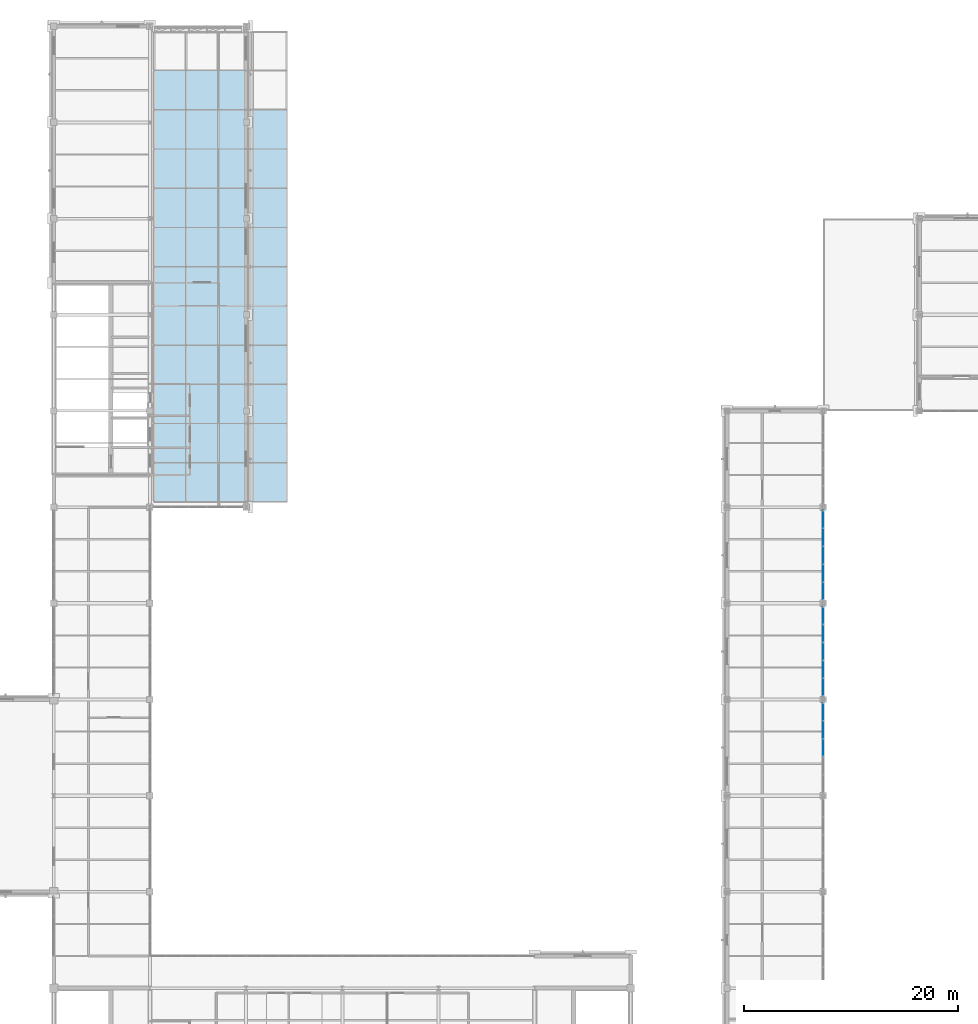
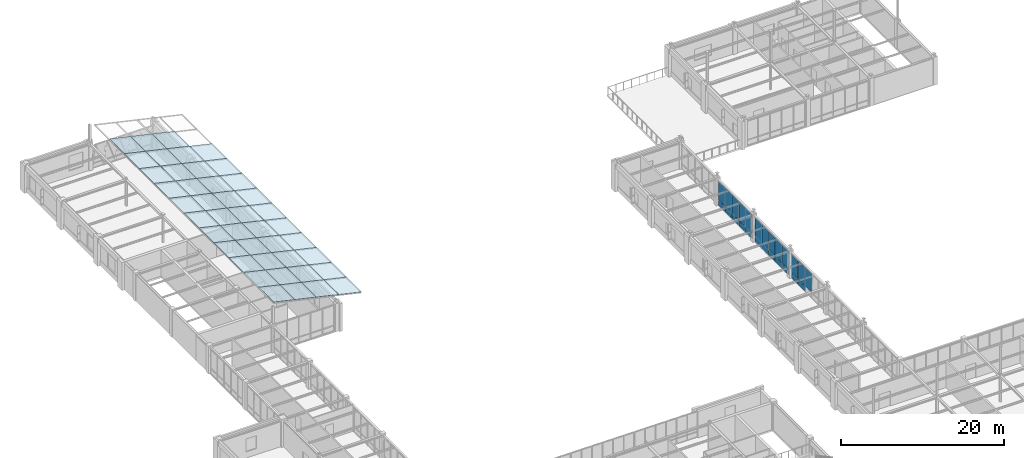
# One storey, part 75 of 97: 68 plates, 5 elements without a shape of their own.
"""IFC4 building model written with IfcOpenShell, lengths in metres."""

from ifc_helpers import new_model, si_unit, direction, frame, origin, origin_2d, place, context, subcontext, project, spatial, rectangle, extrude, material, layer, layer_set, type_object, element, aggregate, save


model = new_model("IFC4")

# Units and contexts
model_context = context("Model", 3, precision=1e-05, world=origin(), true_north=direction((0.0, 1.0)))
body_context = subcontext(model_context, "Body", "Model", "MODEL_VIEW")
ifc_project = project(units=[si_unit("LENGTHUNIT", "METRE"), si_unit("AREAUNIT", "SQUARE_METRE"), si_unit("VOLUMEUNIT", "CUBIC_METRE"), si_unit("PLANEANGLEUNIT", "RADIAN"), si_unit("MASSUNIT", "GRAM", prefix="KILO")], contexts=[model_context])

# Site, building, storey
site_placement = place(None, origin())
site = spatial("IfcSite", under=ifc_project, at=site_placement, CompositionType="ELEMENT")
building_placement = place(site_placement, origin())
building = spatial("IfcBuilding", under=site, at=building_placement, Name="Lykobir Media Centre", CompositionType="ELEMENT")
storey_placement = place(building_placement, frame((0.0, 0.0, 23.39990234375)))
storey = spatial("IfcBuildingStorey", under=building, at=storey_placement, Name="L05", CompositionType="ELEMENT", Elevation=23.39990234375)

# Curtain wall, plates
ifc_material_1 = material(Name="Anodized Aluminium AW-6060", Category="aluminium")
curtain_wall_type_1 = type_object("IfcCurtainWallType", Name="CW-COURT-B", PredefinedType="NOTDEFINED", material=ifc_material_1)
curtain_wall_1_placement = place(storey_placement, origin())
curtain_wall_1 = element("IfcCurtainWall", 1, at=curtain_wall_1_placement, inside=storey, type_object=curtain_wall_type_1, Name="Curtain wall CW2-L05-0183", PredefinedType="NOTDEFINED")
ifc_material_2 = material(Name="Low-E Laminated Triple Glazing", Category="glass")
ifc_layer_1 = layer(ifc_material_2, 0.0380859375, Name="Low-E Laminated Triple Glazing")
ifc_layer_set_1 = layer_set([ifc_layer_1], Name="Low-E Laminated Triple Glazing")
plate_type_1 = type_object("IfcPlateType", Name="CWP-GLZ-38", PredefinedType="CURTAIN_PANEL", material=ifc_layer_set_1)
plate_1_placement = place(storey_placement, frame((99.0, 43.84228515625, 0.877685546875), z_axis=(0.0, 0.0, 1.0), x_axis=(0.0, -1.0, 0.0)))
plate_1 = element("IfcPlate", 2, at=plate_1_placement, type_object=plate_type_1, Name="CW2-L05-0183 panel 1.2", PredefinedType="CURTAIN_PANEL", context=body_context, shape_type="SweptSolid", body=[
    extrude(rectangle(XDim=1.595458984375, YDim=0.0380859375, at=origin_2d()), origin(), (0.0, 0.0, 1.0), 2.762451171875),
])
plate_2_placement = place(storey_placement, frame((99.0, 42.177978515625, 0.877685546875), z_axis=(0.0, 0.0, 1.0), x_axis=(0.0, -1.0, 0.0)))
plate_2 = element("IfcPlate", 3, at=plate_2_placement, type_object=plate_type_1, Name="CW2-L05-0183 panel 2.2", PredefinedType="CURTAIN_PANEL", context=body_context, shape_type="SweptSolid", body=[
    extrude(rectangle(XDim=1.623046875, YDim=0.0380859375, at=origin_2d()), origin(), (0.0, 0.0, 1.0), 2.762451171875),
])
plate_3_placement = place(storey_placement, frame((99.0, 40.5, 0.877685546875), z_axis=(0.0, 0.0, 1.0), x_axis=(0.0, -1.0, 0.0)))
plate_3 = element("IfcPlate", 4, at=plate_3_placement, type_object=plate_type_1, Name="CW2-L05-0183 panel 3.2", PredefinedType="CURTAIN_PANEL", context=body_context, shape_type="SweptSolid", body=[
    extrude(rectangle(XDim=1.623046875, YDim=0.0380859375, at=origin_2d()), origin(), (0.0, 0.0, 1.0), 2.762451171875),
])

curtain_wall_2_placement = place(storey_placement, origin())
curtain_wall_2 = element("IfcCurtainWall", 5, at=curtain_wall_2_placement, inside=storey, type_object=curtain_wall_type_1, Name="Curtain wall CW2-L05-0184", PredefinedType="NOTDEFINED")
plate_4_placement = place(storey_placement, frame((99.0, 52.84228515625, 0.877685546875), z_axis=(0.0, 0.0, 1.0), x_axis=(0.0, -1.0, 0.0)))
plate_4 = element("IfcPlate", 6, at=plate_4_placement, type_object=plate_type_1, Name="CW2-L05-0184 panel 1.2", PredefinedType="CURTAIN_PANEL", context=body_context, shape_type="SweptSolid", body=[
    extrude(rectangle(XDim=1.595458984375, YDim=0.0380859375, at=origin_2d()), origin(), (0.0, 0.0, 1.0), 2.762451171875),
])
plate_5_placement = place(storey_placement, frame((99.0, 51.177978515625, 0.877685546875), z_axis=(0.0, 0.0, 1.0), x_axis=(0.0, -1.0, 0.0)))
plate_5 = element("IfcPlate", 7, at=plate_5_placement, type_object=plate_type_1, Name="CW2-L05-0184 panel 2.2", PredefinedType="CURTAIN_PANEL", context=body_context, shape_type="SweptSolid", body=[
    extrude(rectangle(XDim=1.623046875, YDim=0.0380859375, at=origin_2d()), origin(), (0.0, 0.0, 1.0), 2.762451171875),
])
plate_6_placement = place(storey_placement, frame((99.0, 49.5, 0.877685546875), z_axis=(0.0, 0.0, 1.0), x_axis=(0.0, -1.0, 0.0)))
plate_6 = element("IfcPlate", 8, at=plate_6_placement, type_object=plate_type_1, Name="CW2-L05-0184 panel 3.2", PredefinedType="CURTAIN_PANEL", context=body_context, shape_type="SweptSolid", body=[
    extrude(rectangle(XDim=1.623046875, YDim=0.0380859375, at=origin_2d()), origin(), (0.0, 0.0, 1.0), 2.762451171875),
])
plate_7_placement = place(storey_placement, frame((99.0, 47.822021484375, 0.877685546875), z_axis=(0.0, 0.0, 1.0), x_axis=(0.0, -1.0, 0.0)))
plate_7 = element("IfcPlate", 9, at=plate_7_placement, type_object=plate_type_1, Name="CW2-L05-0184 panel 4.2", PredefinedType="CURTAIN_PANEL", context=body_context, shape_type="SweptSolid", body=[
    extrude(rectangle(XDim=1.623046875, YDim=0.0380859375, at=origin_2d()), origin(), (0.0, 0.0, 1.0), 2.762451171875),
])
plate_8_placement = place(storey_placement, frame((99.0, 46.15771484375, 0.877685546875), z_axis=(0.0, 0.0, 1.0), x_axis=(0.0, -1.0, 0.0)))
plate_8 = element("IfcPlate", 10, at=plate_8_placement, type_object=plate_type_1, Name="CW2-L05-0184 panel 5.2", PredefinedType="CURTAIN_PANEL", context=body_context, shape_type="SweptSolid", body=[
    extrude(rectangle(XDim=1.595458984375, YDim=0.0380859375, at=origin_2d()), origin(), (0.0, 0.0, 1.0), 2.762451171875),
])

curtain_wall_3_placement = place(storey_placement, origin())
curtain_wall_3 = element("IfcCurtainWall", 11, at=curtain_wall_3_placement, inside=storey, type_object=curtain_wall_type_1, Name="Curtain wall CW2-L05-0185", PredefinedType="NOTDEFINED")
plate_9_placement = place(storey_placement, frame((99.0, 61.84228515625, 0.877685546875), z_axis=(0.0, 0.0, 1.0), x_axis=(0.0, -1.0, 0.0)))
plate_9 = element("IfcPlate", 12, at=plate_9_placement, type_object=plate_type_1, Name="CW2-L05-0185 panel 1.2", PredefinedType="CURTAIN_PANEL", context=body_context, shape_type="SweptSolid", body=[
    extrude(rectangle(XDim=1.595458984375, YDim=0.0380859375, at=origin_2d()), origin(), (0.0, 0.0, 1.0), 2.762451171875),
])
plate_10_placement = place(storey_placement, frame((99.0, 60.177978515625, 0.877685546875), z_axis=(0.0, 0.0, 1.0), x_axis=(0.0, -1.0, 0.0)))
plate_10 = element("IfcPlate", 13, at=plate_10_placement, type_object=plate_type_1, Name="CW2-L05-0185 panel 2.2", PredefinedType="CURTAIN_PANEL", context=body_context, shape_type="SweptSolid", body=[
    extrude(rectangle(XDim=1.623046875, YDim=0.0380859375, at=origin_2d()), origin(), (0.0, 0.0, 1.0), 2.762451171875),
])
plate_11_placement = place(storey_placement, frame((99.0, 58.5, 0.877685546875), z_axis=(0.0, 0.0, 1.0), x_axis=(0.0, -1.0, 0.0)))
plate_11 = element("IfcPlate", 14, at=plate_11_placement, type_object=plate_type_1, Name="CW2-L05-0185 panel 3.2", PredefinedType="CURTAIN_PANEL", context=body_context, shape_type="SweptSolid", body=[
    extrude(rectangle(XDim=1.623046875, YDim=0.0380859375, at=origin_2d()), origin(), (0.0, 0.0, 1.0), 2.762451171875),
])
plate_12_placement = place(storey_placement, frame((99.0, 56.822021484375, 0.877685546875), z_axis=(0.0, 0.0, 1.0), x_axis=(0.0, -1.0, 0.0)))
plate_12 = element("IfcPlate", 15, at=plate_12_placement, type_object=plate_type_1, Name="CW2-L05-0185 panel 4.2", PredefinedType="CURTAIN_PANEL", context=body_context, shape_type="SweptSolid", body=[
    extrude(rectangle(XDim=1.623046875, YDim=0.0380859375, at=origin_2d()), origin(), (0.0, 0.0, 1.0), 2.762451171875),
])
plate_13_placement = place(storey_placement, frame((99.0, 55.15771484375, 0.877685546875), z_axis=(0.0, 0.0, 1.0), x_axis=(0.0, -1.0, 0.0)))
plate_13 = element("IfcPlate", 16, at=plate_13_placement, type_object=plate_type_1, Name="CW2-L05-0185 panel 5.2", PredefinedType="CURTAIN_PANEL", context=body_context, shape_type="SweptSolid", body=[
    extrude(rectangle(XDim=1.595458984375, YDim=0.0380859375, at=origin_2d()), origin(), (0.0, 0.0, 1.0), 2.762451171875),
])

curtain_wall_type_2 = type_object("IfcCurtainWallType", Name="CW-V6-SKY", PredefinedType="NOTDEFINED", material=ifc_material_1)
curtain_wall_4_placement = place(storey_placement, origin())
curtain_wall_4 = element("IfcCurtainWall", 17, at=curtain_wall_4_placement, inside=storey, type_object=curtain_wall_type_2, Name="Curtain wall CW-V6-SKY06", PredefinedType="NOTDEFINED")
ifc_layer_2 = layer(ifc_material_2, 0.0439453125, Name="Low-E Laminated Triple Glazing")
ifc_layer_set_2 = layer_set([ifc_layer_2], Name="Low-E Laminated Triple Glazing")
plate_type_2 = type_object("IfcPlateType", Name="CWP-GLZ-44", PredefinedType="CURTAIN_PANEL", material=ifc_layer_set_2)
plate_14_placement = place(storey_placement, frame((45.639892578125, 102.014892578125, 4.815185546875), z_axis=(-0.975257506879, 0.0, 0.221071923309), x_axis=(0.0, -1.0, 0.0)))
plate_14 = element("IfcPlate", 18, at=plate_14_placement, type_object=plate_type_2, Name="CW-V6-SKY06 panel 2.2", PredefinedType="CURTAIN_PANEL", context=body_context, shape_type="SweptSolid", body=[
    extrude(rectangle(XDim=3.6640625, YDim=0.0439453125, at=origin_2d()), origin(), (0.0, 0.0, 1.0), 3.290771484375),
])
plate_15_placement = place(storey_placement, frame((48.85498046875, 98.344970703125, 4.086181640625), z_axis=(-0.975257506879, 0.0, 0.221071923309), x_axis=(0.0, -1.0, 0.0)))
plate_15 = element("IfcPlate", 19, at=plate_15_placement, type_object=plate_type_2, Name="CW-V6-SKY06 panel 3.1", PredefinedType="CURTAIN_PANEL", context=body_context, shape_type="SweptSolid", body=[
    extrude(rectangle(XDim=3.6640625, YDim=0.0439453125, at=origin_2d()), origin(), (0.0, 0.0, 1.0), 3.290771484375),
])
plate_16_placement = place(storey_placement, frame((45.639892578125, 98.344970703125, 4.815185546875), z_axis=(-0.975257506879, 0.0, 0.221071923309), x_axis=(0.0, -1.0, 0.0)))
plate_16 = element("IfcPlate", 20, at=plate_16_placement, type_object=plate_type_2, Name="CW-V6-SKY06 panel 3.2", PredefinedType="CURTAIN_PANEL", context=body_context, shape_type="SweptSolid", body=[
    extrude(rectangle(XDim=3.6640625, YDim=0.0439453125, at=origin_2d()), origin(), (0.0, 0.0, 1.0), 3.290771484375),
])
plate_17_placement = place(storey_placement, frame((48.85498046875, 94.675048828125, 4.086181640625), z_axis=(-0.975257506879, 0.0, 0.221071923309), x_axis=(0.0, -1.0, 0.0)))
plate_17 = element("IfcPlate", 21, at=plate_17_placement, type_object=plate_type_2, Name="CW-V6-SKY06 panel 4.1", PredefinedType="CURTAIN_PANEL", context=body_context, shape_type="SweptSolid", body=[
    extrude(rectangle(XDim=3.6640625, YDim=0.0439453125, at=origin_2d()), origin(), (0.0, 0.0, 1.0), 3.290771484375),
])
plate_18_placement = place(storey_placement, frame((45.639892578125, 94.675048828125, 4.815185546875), z_axis=(-0.975257506879, 0.0, 0.221071923309), x_axis=(0.0, -1.0, 0.0)))
plate_18 = element("IfcPlate", 22, at=plate_18_placement, type_object=plate_type_2, Name="CW-V6-SKY06 panel 4.2", PredefinedType="CURTAIN_PANEL", context=body_context, shape_type="SweptSolid", body=[
    extrude(rectangle(XDim=3.6640625, YDim=0.0439453125, at=origin_2d()), origin(), (0.0, 0.0, 1.0), 3.290771484375),
])
plate_19_placement = place(storey_placement, frame((48.85498046875, 91.0048828125, 4.086181640625), z_axis=(-0.975257506879, 0.0, 0.221071923309), x_axis=(0.0, -1.0, 0.0)))
plate_19 = element("IfcPlate", 23, at=plate_19_placement, type_object=plate_type_2, Name="CW-V6-SKY06 panel 5.1", PredefinedType="CURTAIN_PANEL", context=body_context, shape_type="SweptSolid", body=[
    extrude(rectangle(XDim=3.6640625, YDim=0.0439453125, at=origin_2d()), origin(), (0.0, 0.0, 1.0), 3.290771484375),
])
plate_20_placement = place(storey_placement, frame((45.639892578125, 91.0048828125, 4.815185546875), z_axis=(-0.975257506879, 0.0, 0.221071923309), x_axis=(0.0, -1.0, 0.0)))
plate_20 = element("IfcPlate", 24, at=plate_20_placement, type_object=plate_type_2, Name="CW-V6-SKY06 panel 5.2", PredefinedType="CURTAIN_PANEL", context=body_context, shape_type="SweptSolid", body=[
    extrude(rectangle(XDim=3.6640625, YDim=0.0439453125, at=origin_2d()), origin(), (0.0, 0.0, 1.0), 3.290771484375),
])
plate_21_placement = place(storey_placement, frame((48.85498046875, 87.3349609375, 4.086181640625), z_axis=(-0.975257506879, 0.0, 0.221071923309), x_axis=(0.0, -1.0, 0.0)))
plate_21 = element("IfcPlate", 25, at=plate_21_placement, type_object=plate_type_2, Name="CW-V6-SKY06 panel 6.1", PredefinedType="CURTAIN_PANEL", context=body_context, shape_type="SweptSolid", body=[
    extrude(rectangle(XDim=3.6640625, YDim=0.0439453125, at=origin_2d()), origin(), (0.0, 0.0, 1.0), 3.290771484375),
])
plate_22_placement = place(storey_placement, frame((45.639892578125, 87.3349609375, 4.815185546875), z_axis=(-0.975257506879, 0.0, 0.221071923309), x_axis=(0.0, -1.0, 0.0)))
plate_22 = element("IfcPlate", 26, at=plate_22_placement, type_object=plate_type_2, Name="CW-V6-SKY06 panel 6.2", PredefinedType="CURTAIN_PANEL", context=body_context, shape_type="SweptSolid", body=[
    extrude(rectangle(XDim=3.6640625, YDim=0.0439453125, at=origin_2d()), origin(), (0.0, 0.0, 1.0), 3.290771484375),
])
plate_23_placement = place(storey_placement, frame((48.85498046875, 83.6650390625, 4.086181640625), z_axis=(-0.975257506879, 0.0, 0.221071923309), x_axis=(0.0, -1.0, 0.0)))
plate_23 = element("IfcPlate", 27, at=plate_23_placement, type_object=plate_type_2, Name="CW-V6-SKY06 panel 7.1", PredefinedType="CURTAIN_PANEL", context=body_context, shape_type="SweptSolid", body=[
    extrude(rectangle(XDim=3.6640625, YDim=0.0439453125, at=origin_2d()), origin(), (0.0, 0.0, 1.0), 3.290771484375),
])
plate_24_placement = place(storey_placement, frame((45.639892578125, 83.6650390625, 4.815185546875), z_axis=(-0.975257506879, 0.0, 0.221071923309), x_axis=(0.0, -1.0, 0.0)))
plate_24 = element("IfcPlate", 28, at=plate_24_placement, type_object=plate_type_2, Name="CW-V6-SKY06 panel 7.2", PredefinedType="CURTAIN_PANEL", context=body_context, shape_type="SweptSolid", body=[
    extrude(rectangle(XDim=3.6640625, YDim=0.0439453125, at=origin_2d()), origin(), (0.0, 0.0, 1.0), 3.290771484375),
])
plate_25_placement = place(storey_placement, frame((48.85498046875, 79.9951171875, 4.086181640625), z_axis=(-0.975257506879, 0.0, 0.221071923309), x_axis=(0.0, -1.0, 0.0)))
plate_25 = element("IfcPlate", 29, at=plate_25_placement, type_object=plate_type_2, Name="CW-V6-SKY06 panel 8.1", PredefinedType="CURTAIN_PANEL", context=body_context, shape_type="SweptSolid", body=[
    extrude(rectangle(XDim=3.6640625, YDim=0.0439453125, at=origin_2d()), origin(), (0.0, 0.0, 1.0), 3.290771484375),
])
plate_26_placement = place(storey_placement, frame((45.639892578125, 79.9951171875, 4.815185546875), z_axis=(-0.975257506879, 0.0, 0.221071923309), x_axis=(0.0, -1.0, 0.0)))
plate_26 = element("IfcPlate", 30, at=plate_26_placement, type_object=plate_type_2, Name="CW-V6-SKY06 panel 8.2", PredefinedType="CURTAIN_PANEL", context=body_context, shape_type="SweptSolid", body=[
    extrude(rectangle(XDim=3.6640625, YDim=0.0439453125, at=origin_2d()), origin(), (0.0, 0.0, 1.0), 3.290771484375),
])
plate_27_placement = place(storey_placement, frame((48.85498046875, 76.324951171875, 4.086181640625), z_axis=(-0.975257506879, 0.0, 0.221071923309), x_axis=(0.0, -1.0, 0.0)))
plate_27 = element("IfcPlate", 31, at=plate_27_placement, type_object=plate_type_2, Name="CW-V6-SKY06 panel 9.1", PredefinedType="CURTAIN_PANEL", context=body_context, shape_type="SweptSolid", body=[
    extrude(rectangle(XDim=3.6640625, YDim=0.0439453125, at=origin_2d()), origin(), (0.0, 0.0, 1.0), 3.290771484375),
])
plate_28_placement = place(storey_placement, frame((45.639892578125, 76.324951171875, 4.815185546875), z_axis=(-0.975257506879, 0.0, 0.221071923309), x_axis=(0.0, -1.0, 0.0)))
plate_28 = element("IfcPlate", 32, at=plate_28_placement, type_object=plate_type_2, Name="CW-V6-SKY06 panel 9.2", PredefinedType="CURTAIN_PANEL", context=body_context, shape_type="SweptSolid", body=[
    extrude(rectangle(XDim=3.6640625, YDim=0.0439453125, at=origin_2d()), origin(), (0.0, 0.0, 1.0), 3.290771484375),
])
plate_29_placement = place(storey_placement, frame((48.85498046875, 72.655029296875, 4.086181640625), z_axis=(-0.975257506879, 0.0, 0.221071923309), x_axis=(0.0, -1.0, 0.0)))
plate_29 = element("IfcPlate", 33, at=plate_29_placement, type_object=plate_type_2, Name="CW-V6-SKY06 panel 10.1", PredefinedType="CURTAIN_PANEL", context=body_context, shape_type="SweptSolid", body=[
    extrude(rectangle(XDim=3.6640625, YDim=0.0439453125, at=origin_2d()), origin(), (0.0, 0.0, 1.0), 3.290771484375),
])
plate_30_placement = place(storey_placement, frame((45.639892578125, 72.655029296875, 4.815185546875), z_axis=(-0.975257506879, 0.0, 0.221071923309), x_axis=(0.0, -1.0, 0.0)))
plate_30 = element("IfcPlate", 34, at=plate_30_placement, type_object=plate_type_2, Name="CW-V6-SKY06 panel 10.2", PredefinedType="CURTAIN_PANEL", context=body_context, shape_type="SweptSolid", body=[
    extrude(rectangle(XDim=3.6640625, YDim=0.0439453125, at=origin_2d()), origin(), (0.0, 0.0, 1.0), 3.290771484375),
])
plate_31_placement = place(storey_placement, frame((48.85498046875, 68.985107421875, 4.086181640625), z_axis=(-0.975257506879, 0.0, 0.221071923309), x_axis=(0.0, -1.0, 0.0)))
plate_31 = element("IfcPlate", 35, at=plate_31_placement, type_object=plate_type_2, Name="CW-V6-SKY06 panel 11.1", PredefinedType="CURTAIN_PANEL", context=body_context, shape_type="SweptSolid", body=[
    extrude(rectangle(XDim=3.6640625, YDim=0.0439453125, at=origin_2d()), origin(), (0.0, 0.0, 1.0), 3.290771484375),
])
plate_32_placement = place(storey_placement, frame((45.639892578125, 68.985107421875, 4.815185546875), z_axis=(-0.975257506879, 0.0, 0.221071923309), x_axis=(0.0, -1.0, 0.0)))
plate_32 = element("IfcPlate", 36, at=plate_32_placement, type_object=plate_type_2, Name="CW-V6-SKY06 panel 11.2", PredefinedType="CURTAIN_PANEL", context=body_context, shape_type="SweptSolid", body=[
    extrude(rectangle(XDim=3.6640625, YDim=0.0439453125, at=origin_2d()), origin(), (0.0, 0.0, 1.0), 3.290771484375),
])
plate_33_placement = place(storey_placement, frame((48.85498046875, 65.314453125, 4.086181640625), z_axis=(-0.975257506879, 0.0, 0.221071923309), x_axis=(0.0, -1.0, 0.0)))
plate_33 = element("IfcPlate", 37, at=plate_33_placement, type_object=plate_type_2, Name="CW-V6-SKY06 panel 12.1", PredefinedType="CURTAIN_PANEL", context=body_context, shape_type="SweptSolid", body=[
    extrude(rectangle(XDim=3.6650390625, YDim=0.0439453125, at=origin_2d()), origin(), (0.0, 0.0, 1.0), 3.290771484375),
])
plate_34_placement = place(storey_placement, frame((45.639892578125, 65.314453125, 4.815185546875), z_axis=(-0.975257506879, 0.0, 0.221071923309), x_axis=(0.0, -1.0, 0.0)))
plate_34 = element("IfcPlate", 38, at=plate_34_placement, type_object=plate_type_2, Name="CW-V6-SKY06 panel 12.2", PredefinedType="CURTAIN_PANEL", context=body_context, shape_type="SweptSolid", body=[
    extrude(rectangle(XDim=3.6650390625, YDim=0.0439453125, at=origin_2d()), origin(), (0.0, 0.0, 1.0), 3.290771484375),
])
aggregate(curtain_wall_4, [plate_14, plate_15, plate_16, plate_17, plate_18, plate_19, plate_20, plate_21, plate_22, plate_23, plate_24, plate_25, plate_26, plate_27, plate_28, plate_29, plate_30, plate_31, plate_32, plate_33, plate_34])

curtain_wall_5_placement = place(storey_placement, origin())
curtain_wall_5 = element("IfcCurtainWall", 39, at=curtain_wall_5_placement, inside=storey, type_object=curtain_wall_type_2, Name="Curtain wall CW-V6-SKY07", PredefinedType="NOTDEFINED")
plate_35_placement = place(storey_placement, frame((42.426513671875, 102.014892578125, 5.54345703125), z_axis=(-0.975261365164, 0.0, 0.221054901821), x_axis=(0.0, -1.0, 0.0)))
plate_35 = element("IfcPlate", 40, at=plate_35_placement, type_object=plate_type_2, Name="CW-V6-SKY07 panel 2.1", PredefinedType="CURTAIN_PANEL", context=body_context, shape_type="SweptSolid", body=[
    extrude(rectangle(XDim=3.6640625, YDim=0.0439453125, at=origin_2d()), origin(), (0.0, 0.0, 1.0), 3.095947265625),
])
plate_36_placement = place(storey_placement, frame((39.4013671875, 102.014892578125, 6.229248046875), z_axis=(-0.975261365164, 0.0, 0.221054901821), x_axis=(0.0, -1.0, 0.0)))
plate_36 = element("IfcPlate", 41, at=plate_36_placement, type_object=plate_type_2, Name="CW-V6-SKY07 panel 2.2", PredefinedType="CURTAIN_PANEL", context=body_context, shape_type="SweptSolid", body=[
    extrude(rectangle(XDim=3.6640625, YDim=0.0439453125, at=origin_2d()), origin(), (0.0, 0.0, 1.0), 3.09619140625),
])
plate_37_placement = place(storey_placement, frame((42.426513671875, 98.344970703125, 5.54345703125), z_axis=(-0.975261365164, 0.0, 0.221054901821), x_axis=(0.0, -1.0, 0.0)))
plate_37 = element("IfcPlate", 42, at=plate_37_placement, type_object=plate_type_2, Name="CW-V6-SKY07 panel 3.1", PredefinedType="CURTAIN_PANEL", context=body_context, shape_type="SweptSolid", body=[
    extrude(rectangle(XDim=3.6640625, YDim=0.0439453125, at=origin_2d()), origin(), (0.0, 0.0, 1.0), 3.095947265625),
])
plate_38_placement = place(storey_placement, frame((39.4013671875, 98.344970703125, 6.229248046875), z_axis=(-0.975261365164, 0.0, 0.221054901821), x_axis=(0.0, -1.0, 0.0)))
plate_38 = element("IfcPlate", 43, at=plate_38_placement, type_object=plate_type_2, Name="CW-V6-SKY07 panel 3.2", PredefinedType="CURTAIN_PANEL", context=body_context, shape_type="SweptSolid", body=[
    extrude(rectangle(XDim=3.6640625, YDim=0.0439453125, at=origin_2d()), origin(), (0.0, 0.0, 1.0), 3.09619140625),
])
plate_39_placement = place(storey_placement, frame((42.426513671875, 94.675048828125, 5.54345703125), z_axis=(-0.975261365164, 0.0, 0.221054901821), x_axis=(0.0, -1.0, 0.0)))
plate_39 = element("IfcPlate", 44, at=plate_39_placement, type_object=plate_type_2, Name="CW-V6-SKY07 panel 4.1", PredefinedType="CURTAIN_PANEL", context=body_context, shape_type="SweptSolid", body=[
    extrude(rectangle(XDim=3.6640625, YDim=0.0439453125, at=origin_2d()), origin(), (0.0, 0.0, 1.0), 3.095947265625),
])
plate_40_placement = place(storey_placement, frame((39.4013671875, 94.675048828125, 6.229248046875), z_axis=(-0.975261365164, 0.0, 0.221054901821), x_axis=(0.0, -1.0, 0.0)))
plate_40 = element("IfcPlate", 45, at=plate_40_placement, type_object=plate_type_2, Name="CW-V6-SKY07 panel 4.2", PredefinedType="CURTAIN_PANEL", context=body_context, shape_type="SweptSolid", body=[
    extrude(rectangle(XDim=3.6640625, YDim=0.0439453125, at=origin_2d()), origin(), (0.0, 0.0, 1.0), 3.09619140625),
])
plate_41_placement = place(storey_placement, frame((42.426513671875, 91.0048828125, 5.54345703125), z_axis=(-0.975261365164, 0.0, 0.221054901821), x_axis=(0.0, -1.0, 0.0)))
plate_41 = element("IfcPlate", 46, at=plate_41_placement, type_object=plate_type_2, Name="CW-V6-SKY07 panel 5.1", PredefinedType="CURTAIN_PANEL", context=body_context, shape_type="SweptSolid", body=[
    extrude(rectangle(XDim=3.6640625, YDim=0.0439453125, at=origin_2d()), origin(), (0.0, 0.0, 1.0), 3.095947265625),
])
plate_42_placement = place(storey_placement, frame((39.4013671875, 91.0048828125, 6.229248046875), z_axis=(-0.975261365164, 0.0, 0.221054901821), x_axis=(0.0, -1.0, 0.0)))
plate_42 = element("IfcPlate", 47, at=plate_42_placement, type_object=plate_type_2, Name="CW-V6-SKY07 panel 5.2", PredefinedType="CURTAIN_PANEL", context=body_context, shape_type="SweptSolid", body=[
    extrude(rectangle(XDim=3.6640625, YDim=0.0439453125, at=origin_2d()), origin(), (0.0, 0.0, 1.0), 3.09619140625),
])
plate_43_placement = place(storey_placement, frame((42.426513671875, 87.3349609375, 5.54345703125), z_axis=(-0.975261365164, 0.0, 0.221054901821), x_axis=(0.0, -1.0, 0.0)))
plate_43 = element("IfcPlate", 48, at=plate_43_placement, type_object=plate_type_2, Name="CW-V6-SKY07 panel 6.1", PredefinedType="CURTAIN_PANEL", context=body_context, shape_type="SweptSolid", body=[
    extrude(rectangle(XDim=3.6640625, YDim=0.0439453125, at=origin_2d()), origin(), (0.0, 0.0, 1.0), 3.095947265625),
])
plate_44_placement = place(storey_placement, frame((39.4013671875, 87.3349609375, 6.229248046875), z_axis=(-0.975261365164, 0.0, 0.221054901821), x_axis=(0.0, -1.0, 0.0)))
plate_44 = element("IfcPlate", 49, at=plate_44_placement, type_object=plate_type_2, Name="CW-V6-SKY07 panel 6.2", PredefinedType="CURTAIN_PANEL", context=body_context, shape_type="SweptSolid", body=[
    extrude(rectangle(XDim=3.6640625, YDim=0.0439453125, at=origin_2d()), origin(), (0.0, 0.0, 1.0), 3.09619140625),
])
plate_45_placement = place(storey_placement, frame((42.426513671875, 83.6650390625, 5.54345703125), z_axis=(-0.975261365164, 0.0, 0.221054901821), x_axis=(0.0, -1.0, 0.0)))
plate_45 = element("IfcPlate", 50, at=plate_45_placement, type_object=plate_type_2, Name="CW-V6-SKY07 panel 7.1", PredefinedType="CURTAIN_PANEL", context=body_context, shape_type="SweptSolid", body=[
    extrude(rectangle(XDim=3.6640625, YDim=0.0439453125, at=origin_2d()), origin(), (0.0, 0.0, 1.0), 3.095947265625),
])
plate_46_placement = place(storey_placement, frame((39.4013671875, 83.6650390625, 6.229248046875), z_axis=(-0.975261365164, 0.0, 0.221054901821), x_axis=(0.0, -1.0, 0.0)))
plate_46 = element("IfcPlate", 51, at=plate_46_placement, type_object=plate_type_2, Name="CW-V6-SKY07 panel 7.2", PredefinedType="CURTAIN_PANEL", context=body_context, shape_type="SweptSolid", body=[
    extrude(rectangle(XDim=3.6640625, YDim=0.0439453125, at=origin_2d()), origin(), (0.0, 0.0, 1.0), 3.09619140625),
])
plate_47_placement = place(storey_placement, frame((42.426513671875, 79.9951171875, 5.54345703125), z_axis=(-0.975261365164, 0.0, 0.221054901821), x_axis=(0.0, -1.0, 0.0)))
plate_47 = element("IfcPlate", 52, at=plate_47_placement, type_object=plate_type_2, Name="CW-V6-SKY07 panel 8.1", PredefinedType="CURTAIN_PANEL", context=body_context, shape_type="SweptSolid", body=[
    extrude(rectangle(XDim=3.6640625, YDim=0.0439453125, at=origin_2d()), origin(), (0.0, 0.0, 1.0), 3.095947265625),
])
plate_48_placement = place(storey_placement, frame((39.4013671875, 79.9951171875, 6.229248046875), z_axis=(-0.975261365164, 0.0, 0.221054901821), x_axis=(0.0, -1.0, 0.0)))
plate_48 = element("IfcPlate", 53, at=plate_48_placement, type_object=plate_type_2, Name="CW-V6-SKY07 panel 8.2", PredefinedType="CURTAIN_PANEL", context=body_context, shape_type="SweptSolid", body=[
    extrude(rectangle(XDim=3.6640625, YDim=0.0439453125, at=origin_2d()), origin(), (0.0, 0.0, 1.0), 3.09619140625),
])
plate_49_placement = place(storey_placement, frame((42.426513671875, 76.324951171875, 5.54345703125), z_axis=(-0.975261365164, 0.0, 0.221054901821), x_axis=(0.0, -1.0, 0.0)))
plate_49 = element("IfcPlate", 54, at=plate_49_placement, type_object=plate_type_2, Name="CW-V6-SKY07 panel 9.1", PredefinedType="CURTAIN_PANEL", context=body_context, shape_type="SweptSolid", body=[
    extrude(rectangle(XDim=3.6640625, YDim=0.0439453125, at=origin_2d()), origin(), (0.0, 0.0, 1.0), 3.095947265625),
])
plate_50_placement = place(storey_placement, frame((39.4013671875, 76.324951171875, 6.229248046875), z_axis=(-0.975261365164, 0.0, 0.221054901821), x_axis=(0.0, -1.0, 0.0)))
plate_50 = element("IfcPlate", 55, at=plate_50_placement, type_object=plate_type_2, Name="CW-V6-SKY07 panel 9.2", PredefinedType="CURTAIN_PANEL", context=body_context, shape_type="SweptSolid", body=[
    extrude(rectangle(XDim=3.6640625, YDim=0.0439453125, at=origin_2d()), origin(), (0.0, 0.0, 1.0), 3.09619140625),
])
plate_51_placement = place(storey_placement, frame((42.426513671875, 72.655029296875, 5.54345703125), z_axis=(-0.975261365164, 0.0, 0.221054901821), x_axis=(0.0, -1.0, 0.0)))
plate_51 = element("IfcPlate", 56, at=plate_51_placement, type_object=plate_type_2, Name="CW-V6-SKY07 panel 10.1", PredefinedType="CURTAIN_PANEL", context=body_context, shape_type="SweptSolid", body=[
    extrude(rectangle(XDim=3.6640625, YDim=0.0439453125, at=origin_2d()), origin(), (0.0, 0.0, 1.0), 3.095947265625),
])
plate_52_placement = place(storey_placement, frame((39.4013671875, 72.655029296875, 6.229248046875), z_axis=(-0.975261365164, 0.0, 0.221054901821), x_axis=(0.0, -1.0, 0.0)))
plate_52 = element("IfcPlate", 57, at=plate_52_placement, type_object=plate_type_2, Name="CW-V6-SKY07 panel 10.2", PredefinedType="CURTAIN_PANEL", context=body_context, shape_type="SweptSolid", body=[
    extrude(rectangle(XDim=3.6640625, YDim=0.0439453125, at=origin_2d()), origin(), (0.0, 0.0, 1.0), 3.09619140625),
])
plate_53_placement = place(storey_placement, frame((42.426513671875, 68.985107421875, 5.54345703125), z_axis=(-0.975261365164, 0.0, 0.221054901821), x_axis=(0.0, -1.0, 0.0)))
plate_53 = element("IfcPlate", 58, at=plate_53_placement, type_object=plate_type_2, Name="CW-V6-SKY07 panel 11.1", PredefinedType="CURTAIN_PANEL", context=body_context, shape_type="SweptSolid", body=[
    extrude(rectangle(XDim=3.6640625, YDim=0.0439453125, at=origin_2d()), origin(), (0.0, 0.0, 1.0), 3.095947265625),
])
plate_54_placement = place(storey_placement, frame((39.4013671875, 68.985107421875, 6.229248046875), z_axis=(-0.975261365164, 0.0, 0.221054901821), x_axis=(0.0, -1.0, 0.0)))
plate_54 = element("IfcPlate", 59, at=plate_54_placement, type_object=plate_type_2, Name="CW-V6-SKY07 panel 11.2", PredefinedType="CURTAIN_PANEL", context=body_context, shape_type="SweptSolid", body=[
    extrude(rectangle(XDim=3.6640625, YDim=0.0439453125, at=origin_2d()), origin(), (0.0, 0.0, 1.0), 3.09619140625),
])
plate_55_placement = place(storey_placement, frame((42.426513671875, 65.314453125, 5.54345703125), z_axis=(-0.975261365164, 0.0, 0.221054901821), x_axis=(0.0, -1.0, 0.0)))
plate_55 = element("IfcPlate", 60, at=plate_55_placement, type_object=plate_type_2, Name="CW-V6-SKY07 panel 12.1", PredefinedType="CURTAIN_PANEL", context=body_context, shape_type="SweptSolid", body=[
    extrude(rectangle(XDim=3.6650390625, YDim=0.0439453125, at=origin_2d()), origin(), (0.0, 0.0, 1.0), 3.095947265625),
])
plate_56_placement = place(storey_placement, frame((39.4013671875, 65.314453125, 6.229248046875), z_axis=(-0.975261365164, 0.0, 0.221054901821), x_axis=(0.0, -1.0, 0.0)))
plate_56 = element("IfcPlate", 61, at=plate_56_placement, type_object=plate_type_2, Name="CW-V6-SKY07 panel 12.2", PredefinedType="CURTAIN_PANEL", context=body_context, shape_type="SweptSolid", body=[
    extrude(rectangle(XDim=3.6650390625, YDim=0.0439453125, at=origin_2d()), origin(), (0.0, 0.0, 1.0), 3.09619140625),
])
aggregate(curtain_wall_5, [plate_35, plate_36, plate_37, plate_38, plate_39, plate_40, plate_41, plate_42, plate_43, plate_44, plate_45, plate_46, plate_47, plate_48, plate_49, plate_50, plate_51, plate_52, plate_53, plate_54, plate_55, plate_56])

# Plate
ifc_material_3 = material(Name="Pre-Weathered Titanium-Zinc", Category="metal")
ifc_layer_3 = layer(ifc_material_3, 0.052001953125, Name="Pre-Weathered Titanium-Zinc")
ifc_layer_set_3 = layer_set([ifc_layer_3], Name="Pre-Weathered Titanium-Zinc")
plate_type_3 = type_object("IfcPlateType", Name="CWP-SPN-52", PredefinedType="CURTAIN_PANEL", material=ifc_layer_set_3)
plate_57_placement = place(storey_placement, frame((99.0, 43.84228515625, 0.05517578125), z_axis=(0.0, 0.0, 1.0), x_axis=(0.0, -1.0, 0.0)))
plate_57 = element("IfcPlate", 62, at=plate_57_placement, type_object=plate_type_3, Name="CW2-L05-0183 panel 1.1", PredefinedType="CURTAIN_PANEL", context=body_context, shape_type="SweptSolid", body=[
    extrude(rectangle(XDim=1.595458984375, YDim=0.052001953125, at=origin_2d()), origin(), (0.0, 0.0, 1.0), 0.767578125),
])

plate_58_placement = place(storey_placement, frame((99.0, 42.177978515625, 0.05517578125), z_axis=(0.0, 0.0, 1.0), x_axis=(0.0, -1.0, 0.0)))
plate_58 = element("IfcPlate", 63, at=plate_58_placement, type_object=plate_type_3, Name="CW2-L05-0183 panel 2.1", PredefinedType="CURTAIN_PANEL", context=body_context, shape_type="SweptSolid", body=[
    extrude(rectangle(XDim=1.623046875, YDim=0.052001953125, at=origin_2d()), origin(), (0.0, 0.0, 1.0), 0.767578125),
])

aggregate(curtain_wall_1, [plate_57, plate_1, plate_58, plate_2, plate_3])

plate_59_placement = place(storey_placement, frame((99.0, 52.84228515625, 0.05517578125), z_axis=(0.0, 0.0, 1.0), x_axis=(0.0, -1.0, 0.0)))
plate_59 = element("IfcPlate", 64, at=plate_59_placement, type_object=plate_type_3, Name="CW2-L05-0184 panel 1.1", PredefinedType="CURTAIN_PANEL", context=body_context, shape_type="SweptSolid", body=[
    extrude(rectangle(XDim=1.595458984375, YDim=0.052001953125, at=origin_2d()), origin(), (0.0, 0.0, 1.0), 0.767578125),
])

plate_60_placement = place(storey_placement, frame((99.0, 51.177978515625, 0.05517578125), z_axis=(0.0, 0.0, 1.0), x_axis=(0.0, -1.0, 0.0)))
plate_60 = element("IfcPlate", 65, at=plate_60_placement, type_object=plate_type_3, Name="CW2-L05-0184 panel 2.1", PredefinedType="CURTAIN_PANEL", context=body_context, shape_type="SweptSolid", body=[
    extrude(rectangle(XDim=1.623046875, YDim=0.052001953125, at=origin_2d()), origin(), (0.0, 0.0, 1.0), 0.767578125),
])

plate_61_placement = place(storey_placement, frame((99.0, 49.5, 0.05517578125), z_axis=(0.0, 0.0, 1.0), x_axis=(0.0, -1.0, 0.0)))
plate_61 = element("IfcPlate", 66, at=plate_61_placement, type_object=plate_type_3, Name="CW2-L05-0184 panel 3.1", PredefinedType="CURTAIN_PANEL", context=body_context, shape_type="SweptSolid", body=[
    extrude(rectangle(XDim=1.623046875, YDim=0.052001953125, at=origin_2d()), origin(), (0.0, 0.0, 1.0), 0.767578125),
])

plate_62_placement = place(storey_placement, frame((99.0, 47.822021484375, 0.05517578125), z_axis=(0.0, 0.0, 1.0), x_axis=(0.0, -1.0, 0.0)))
plate_62 = element("IfcPlate", 67, at=plate_62_placement, type_object=plate_type_3, Name="CW2-L05-0184 panel 4.1", PredefinedType="CURTAIN_PANEL", context=body_context, shape_type="SweptSolid", body=[
    extrude(rectangle(XDim=1.623046875, YDim=0.052001953125, at=origin_2d()), origin(), (0.0, 0.0, 1.0), 0.767578125),
])

plate_63_placement = place(storey_placement, frame((99.0, 46.15771484375, 0.05517578125), z_axis=(0.0, 0.0, 1.0), x_axis=(0.0, -1.0, 0.0)))
plate_63 = element("IfcPlate", 68, at=plate_63_placement, type_object=plate_type_3, Name="CW2-L05-0184 panel 5.1", PredefinedType="CURTAIN_PANEL", context=body_context, shape_type="SweptSolid", body=[
    extrude(rectangle(XDim=1.595458984375, YDim=0.052001953125, at=origin_2d()), origin(), (0.0, 0.0, 1.0), 0.767578125),
])

aggregate(curtain_wall_2, [plate_59, plate_4, plate_60, plate_5, plate_61, plate_6, plate_62, plate_7, plate_63, plate_8])

plate_64_placement = place(storey_placement, frame((99.0, 61.84228515625, 0.05517578125), z_axis=(0.0, 0.0, 1.0), x_axis=(0.0, -1.0, 0.0)))
plate_64 = element("IfcPlate", 69, at=plate_64_placement, type_object=plate_type_3, Name="CW2-L05-0185 panel 1.1", PredefinedType="CURTAIN_PANEL", context=body_context, shape_type="SweptSolid", body=[
    extrude(rectangle(XDim=1.595458984375, YDim=0.052001953125, at=origin_2d()), origin(), (0.0, 0.0, 1.0), 0.767578125),
])

plate_65_placement = place(storey_placement, frame((99.0, 60.177978515625, 0.05517578125), z_axis=(0.0, 0.0, 1.0), x_axis=(0.0, -1.0, 0.0)))
plate_65 = element("IfcPlate", 70, at=plate_65_placement, type_object=plate_type_3, Name="CW2-L05-0185 panel 2.1", PredefinedType="CURTAIN_PANEL", context=body_context, shape_type="SweptSolid", body=[
    extrude(rectangle(XDim=1.623046875, YDim=0.052001953125, at=origin_2d()), origin(), (0.0, 0.0, 1.0), 0.767578125),
])

plate_66_placement = place(storey_placement, frame((99.0, 58.5, 0.05517578125), z_axis=(0.0, 0.0, 1.0), x_axis=(0.0, -1.0, 0.0)))
plate_66 = element("IfcPlate", 71, at=plate_66_placement, type_object=plate_type_3, Name="CW2-L05-0185 panel 3.1", PredefinedType="CURTAIN_PANEL", context=body_context, shape_type="SweptSolid", body=[
    extrude(rectangle(XDim=1.623046875, YDim=0.052001953125, at=origin_2d()), origin(), (0.0, 0.0, 1.0), 0.767578125),
])

plate_67_placement = place(storey_placement, frame((99.0, 56.822021484375, 0.05517578125), z_axis=(0.0, 0.0, 1.0), x_axis=(0.0, -1.0, 0.0)))
plate_67 = element("IfcPlate", 72, at=plate_67_placement, type_object=plate_type_3, Name="CW2-L05-0185 panel 4.1", PredefinedType="CURTAIN_PANEL", context=body_context, shape_type="SweptSolid", body=[
    extrude(rectangle(XDim=1.623046875, YDim=0.052001953125, at=origin_2d()), origin(), (0.0, 0.0, 1.0), 0.767578125),
])

plate_68_placement = place(storey_placement, frame((99.0, 55.15771484375, 0.05517578125), z_axis=(0.0, 0.0, 1.0), x_axis=(0.0, -1.0, 0.0)))
plate_68 = element("IfcPlate", 73, at=plate_68_placement, type_object=plate_type_3, Name="CW2-L05-0185 panel 5.1", PredefinedType="CURTAIN_PANEL", context=body_context, shape_type="SweptSolid", body=[
    extrude(rectangle(XDim=1.595458984375, YDim=0.052001953125, at=origin_2d()), origin(), (0.0, 0.0, 1.0), 0.767578125),
])

aggregate(curtain_wall_3, [plate_64, plate_9, plate_65, plate_10, plate_66, plate_11, plate_67, plate_12, plate_68, plate_13])

save(model, "model.ifc")
